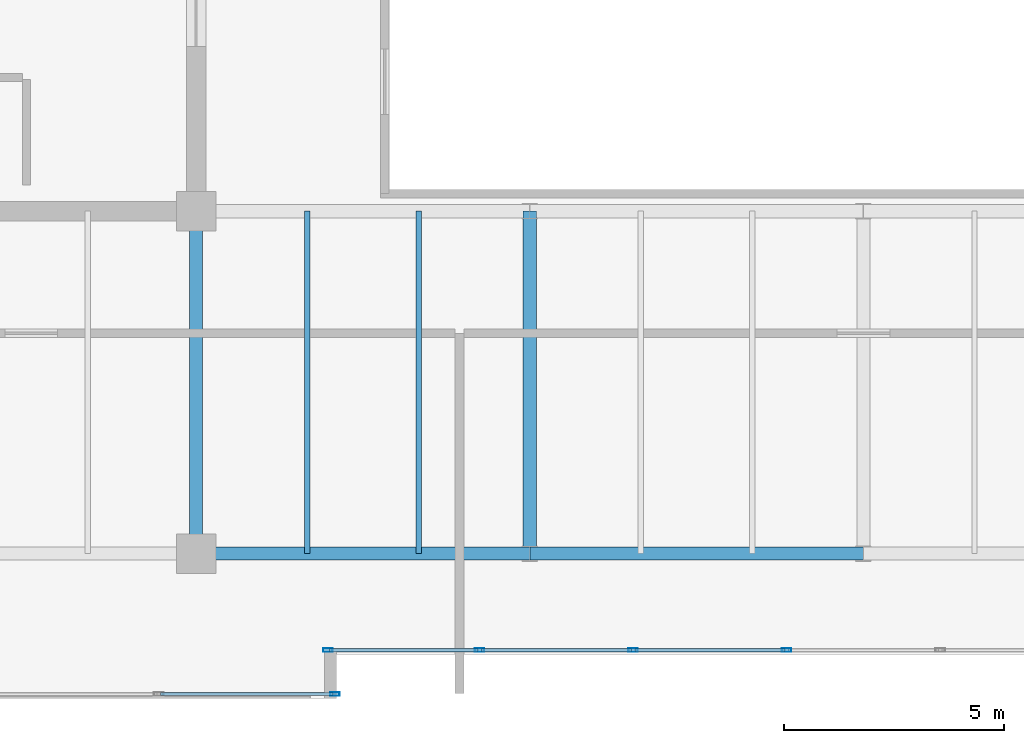
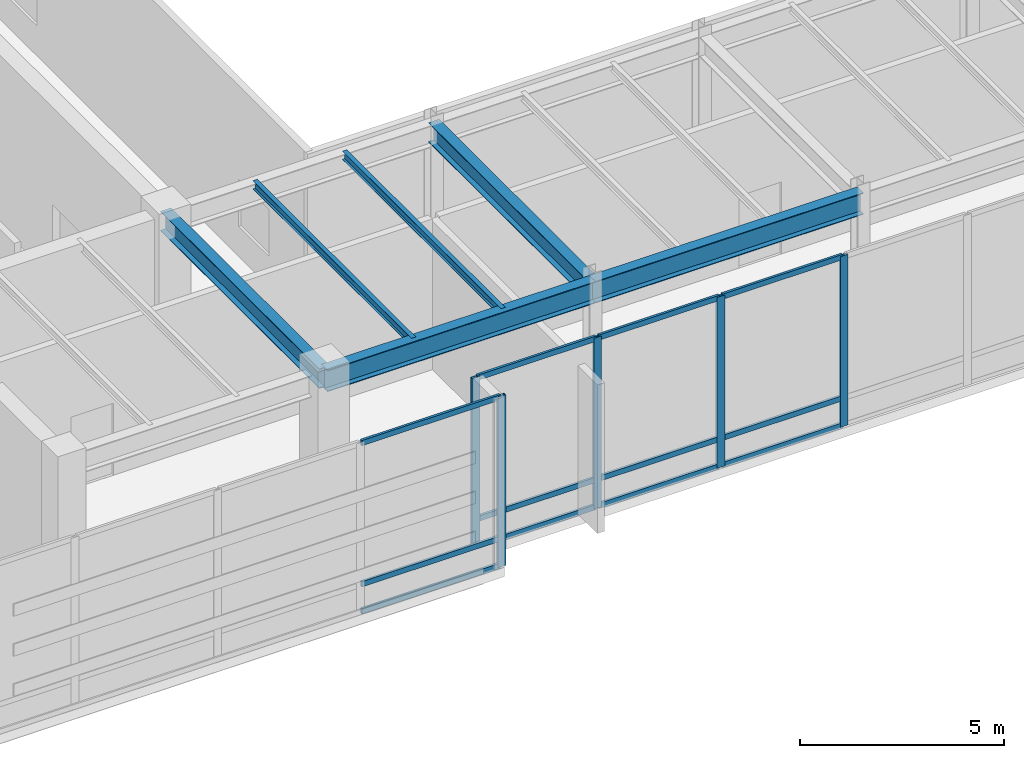
# One storey, part 7 of 30: 17 members, 6 beams, 2 elements without a shape of their own.
"""IFC4 building model written with IfcOpenShell, lengths in metres."""

from ifc_helpers import new_model, si_unit, direction, frame, origin, origin_2d, place, context, subcontext, project, spatial, hollow_rectangle, i_section, extrude, source, transform, mapped, material, layer, layer_set, material_profile, profile_set, type_object, type_shapes, element, aggregate, save


model = new_model("IFC4")

# Units and contexts
model_context = context("Model", 3, precision=1e-05, world=origin(), true_north=direction((0.0, 1.0)))
body_context = subcontext(model_context, "Body", "Model", "MODEL_VIEW")
ifc_project = project(units=[si_unit("LENGTHUNIT", "METRE"), si_unit("AREAUNIT", "SQUARE_METRE"), si_unit("VOLUMEUNIT", "CUBIC_METRE"), si_unit("PLANEANGLEUNIT", "RADIAN"), si_unit("MASSUNIT", "GRAM", prefix="KILO")], contexts=[model_context])

# Site, building, storey
site_placement = place(None, origin())
site = spatial("IfcSite", under=ifc_project, at=site_placement, CompositionType="ELEMENT")
building_placement = place(site_placement, origin())
building = spatial("IfcBuilding", under=site, at=building_placement, Name="Haelvirn Gate Laboratories", CompositionType="ELEMENT")
storey_placement = place(building_placement, frame((0.0, 0.0, 327.0)))
storey = spatial("IfcBuildingStorey", under=building, at=storey_placement, Name="L78", CompositionType="ELEMENT", Elevation=327.0)

# Beams
ifc_material_1 = material(Name="Steel SM355", Category="steel")
ifc_material_profile_1 = material_profile(ifc_material_1, i_section(OverallWidth=0.300048828125, OverallDepth=0.587890625, WebThickness=0.011962890625, FlangeThickness=0.02001953125, at=origin_2d()), Name="H-588x300x12x20")
ifc_profile_set_1 = profile_set([ifc_material_profile_1], Name="Steel SM355")
beam_type_1 = type_object("IfcBeamType", Name="BM-G-588", PredefinedType="BEAM", material=ifc_profile_set_1)
shared_shape_1 = source(origin(), body_context, "Body", "SweptSolid", [
    extrude(i_section(OverallWidth=0.300048828125, OverallDepth=0.587890625, WebThickness=0.011962890625, FlangeThickness=0.02001953125, at=origin_2d()), origin(), (0.0, 0.0, 1.0), 7.800048828125),
])
type_shapes(beam_type_1, [shared_shape_1])
for number, where, z_axis, x_axis, name in (
    (1, (22.199951171875, 7.0, 4.825927734375), (0.0, 1.0, 0.0), (-1.0, 0.0, 0.0), "L78 Frame Girder X22.2 (7.0-14.8)"),
    (2, (29.800048828125, 7.0, 4.825927734375), (0.0, 1.0, 0.0), (-1.0, 0.0, 0.0), "L78 Frame Girder X29.8 (7.0-14.8)"),
):
    element("IfcBeam", number, at=place(storey_placement, frame(where, z_axis=z_axis, x_axis=x_axis)), inside=storey, type_object=beam_type_1, Name=name, PredefinedType="BEAM", context=body_context, shape_type="MappedRepresentation", body=[
        mapped(shared_shape_1, transform((0.0, 0.0, 0.0), scale=1.0)),
    ])
ifc_material_profile_2 = material_profile(ifc_material_1, i_section(OverallWidth=0.300048828125, OverallDepth=0.64990234375, WebThickness=0.012939453125, FlangeThickness=0.02197265625, at=origin_2d()), Name="H-650x300x13x22")
ifc_profile_set_2 = profile_set([ifc_material_profile_2], Name="Steel SM355")
beam_type_2 = type_object("IfcBeamType", Name="BM-G-650", PredefinedType="BEAM", material=ifc_profile_set_2)
shared_shape_2 = source(origin(), body_context, "Body", "SweptSolid", [
    extrude(i_section(OverallWidth=0.300048828125, OverallDepth=0.64990234375, WebThickness=0.012939453125, FlangeThickness=0.02197265625, at=origin_2d()), origin(), (0.0, 0.0, 1.0), 7.60009765625),
])
beam_1_placement = place(storey_placement, frame((22.199951171875, 7.0, 4.794921875), z_axis=(1.0, 0.0, 0.0), x_axis=(0.0, 1.0, 0.0)))
element("IfcBeam", 3, at=beam_1_placement, inside=storey, type_object=beam_type_2, Name="L78 Primary Girder Y7.0 (22.2-29.8)", PredefinedType="BEAM", context=body_context, shape_type="MappedRepresentation", body=[
    mapped(shared_shape_2, transform((0.0, 0.0, 0.0), scale=1.0)),
])
shared_shape_3 = source(origin(), body_context, "Body", "SweptSolid", [
    extrude(i_section(OverallWidth=0.300048828125, OverallDepth=0.64990234375, WebThickness=0.012939453125, FlangeThickness=0.02197265625, at=origin_2d()), origin(), (0.0, 0.0, 1.0), 7.599853515625),
])
type_shapes(beam_type_2, [shared_shape_2, shared_shape_3])
beam_2_placement = place(storey_placement, frame((29.800048828125, 7.0, 4.794921875), z_axis=(1.0, 0.0, 0.0), x_axis=(0.0, 1.0, 0.0)))
element("IfcBeam", 4, at=beam_2_placement, inside=storey, type_object=beam_type_2, Name="L78 Primary Girder Y7.0 (29.8-37.4)", PredefinedType="BEAM", context=body_context, shape_type="MappedRepresentation", body=[
    mapped(shared_shape_3, transform((0.0, 0.0, 0.0), scale=1.0)),
])
ifc_material_profile_3 = material_profile(ifc_material_1, i_section(OverallWidth=0.125, OverallDepth=0.25, WebThickness=0.006103515625, FlangeThickness=0.009033203125, at=origin_2d()), Name="H-250x125x6x9")
ifc_profile_set_3 = profile_set([ifc_material_profile_3], Name="Steel SM355")
beam_type_3 = type_object("IfcBeamType", Name="BM-J-250", PredefinedType="JOIST", material=ifc_profile_set_3)
shared_shape_4 = source(origin(), body_context, "Body", "SweptSolid", [
    extrude(i_section(OverallWidth=0.125, OverallDepth=0.25, WebThickness=0.006103515625, FlangeThickness=0.009033203125, at=origin_2d()), origin(), (0.0, 0.0, 1.0), 7.800048828125),
])
type_shapes(beam_type_3, [shared_shape_4])
for number, where, z_axis, x_axis, name in (
    (5, (24.72998046875, 7.0, 4.9951171875), (0.0, 1.0, 0.0), (-1.0, 0.0, 0.0), "L78 Composite Lab Joist South X24.73"),
    (6, (27.27001953125, 7.0, 4.9951171875), (0.0, 1.0, 0.0), (-1.0, 0.0, 0.0), "L78 Composite Lab Joist South X27.27"),
):
    element("IfcBeam", number, at=place(storey_placement, frame(where, z_axis=z_axis, x_axis=x_axis)), inside=storey, type_object=beam_type_3, Name=name, PredefinedType="JOIST", context=body_context, shape_type="MappedRepresentation", body=[
        mapped(shared_shape_4, transform((0.0, 0.0, 0.0), scale=1.0)),
    ])

# Curtain wall, member
ifc_material_2 = material(Name="Anodised bronze unitised aluminium & triple low-E glass", Category="aluminium")
ifc_layer = layer(ifc_material_2, 0.19189453125, Name="CW-SYS-6")
ifc_layer_set = layer_set([ifc_layer], Name="Anodised bronze unitised aluminium & triple low-E glass")
curtain_wall_type = type_object("IfcCurtainWallType", Name="CW-SYS-6", PredefinedType="NOTDEFINED", material=ifc_layer_set)
curtain_wall_1_placement = place(storey_placement, origin())
curtain_wall_1 = element("IfcCurtainWall", 7, at=curtain_wall_1_placement, inside=storey, type_object=curtain_wall_type, Name="L78 Unitised Curtain Wall CW-L78-P0-E00-1", PredefinedType="NOTDEFINED")
ifc_material_3 = material(Name="Extruded aluminium 6063-T6 (anodised bronze)", Category="aluminium")
ifc_material_profile_4 = material_profile(ifc_material_3, hollow_rectangle(XDim=0.080078125, YDim=0.219970703125, WallThickness=0.006103515625, at=origin_2d()), Name="CWM-220x80x6")
ifc_profile_set_4 = profile_set([ifc_material_profile_4], Name="Extruded aluminium 6063-T6 (anodised bronze)")
member_type_1 = type_object("IfcMemberType", Name="CWM-T220", PredefinedType="MULLION", material=ifc_profile_set_4)
shared_shape_5 = source(origin(), body_context, "Body", "SweptSolid", [
    extrude(hollow_rectangle(XDim=0.080078125, YDim=0.219970703125, WallThickness=0.006103515625, at=origin_2d()), origin(), (0.0, 0.0, 1.0), 5.1201171875),
])
type_shapes(member_type_1, [shared_shape_5])
member_1_placement = place(storey_placement, frame((25.360107421875, 3.800048828125, 0.0), z_axis=(0.0, 0.0, 1.0), x_axis=(0.0, 1.0, 0.0)))
member_1 = element("IfcMember", 8, at=member_1_placement, type_object=member_type_1, Name="CW6 mullion 5", PredefinedType="MULLION", context=body_context, shape_type="MappedRepresentation", body=[
    mapped(shared_shape_5, transform((0.0, 0.0, 0.0), scale=1.0)),
])

# Curtain wall, members
curtain_wall_2_placement = place(storey_placement, origin())
curtain_wall_2 = element("IfcCurtainWall", 9, at=curtain_wall_2_placement, inside=storey, type_object=curtain_wall_type, Name="L78 Unitised Curtain Wall CW-L78-P0-E02-1", PredefinedType="NOTDEFINED")
member_2_placement = place(storey_placement, frame((25.199951171875, 4.800048828125, 0.0), z_axis=(0.0, 0.0, 1.0), x_axis=(0.0, 1.0, 0.0)))
member_2 = element("IfcMember", 10, at=member_2_placement, type_object=member_type_1, Name="CW6 mullion 1", PredefinedType="MULLION", context=body_context, shape_type="MappedRepresentation", body=[
    mapped(shared_shape_5, transform((0.0, 0.0, 0.0), scale=1.0)),
])
member_3_placement = place(storey_placement, frame((28.6572265625, 4.800048828125, 0.0), z_axis=(0.0, 0.0, 1.0), x_axis=(0.0, 1.0, 0.0)))
member_3 = element("IfcMember", 11, at=member_3_placement, type_object=member_type_1, Name="CW6 mullion 2", PredefinedType="MULLION", context=body_context, shape_type="MappedRepresentation", body=[
    mapped(shared_shape_5, transform((0.0, 0.0, 0.0), scale=1.0)),
])
member_4_placement = place(storey_placement, frame((32.154296875, 4.800048828125, 0.0), z_axis=(0.0, 0.0, 1.0), x_axis=(0.0, 1.0, 0.0)))
member_4 = element("IfcMember", 12, at=member_4_placement, type_object=member_type_1, Name="CW6 mullion 3", PredefinedType="MULLION", context=body_context, shape_type="MappedRepresentation", body=[
    mapped(shared_shape_5, transform((0.0, 0.0, 0.0), scale=1.0)),
])
member_5_placement = place(storey_placement, frame((35.6513671875, 4.800048828125, 0.0), z_axis=(0.0, 0.0, 1.0), x_axis=(0.0, 1.0, 0.0)))
member_5 = element("IfcMember", 13, at=member_5_placement, type_object=member_type_1, Name="CW6 mullion 4", PredefinedType="MULLION", context=body_context, shape_type="MappedRepresentation", body=[
    mapped(shared_shape_5, transform((0.0, 0.0, 0.0), scale=1.0)),
])

# Member
ifc_material_profile_5 = material_profile(ifc_material_3, hollow_rectangle(XDim=0.070068359375, YDim=0.159912109375, WallThickness=0.0048828125, at=origin_2d()), Name="CWT-160x70x5")
ifc_profile_set_5 = profile_set([ifc_material_profile_5], Name="Extruded aluminium 6063-T6 (anodised bronze)")
member_type_2 = type_object("IfcMemberType", Name="CWT-T160", PredefinedType="USERDEFINED", material=ifc_profile_set_5)
shared_shape_6 = source(origin(), body_context, "Body", "SweptSolid", [
    extrude(hollow_rectangle(XDim=0.070068359375, YDim=0.159912109375, WallThickness=0.0048828125, at=origin_2d()), origin(), (0.0, 0.0, 1.0), 3.93017578125),
])
member_6_placement = place(storey_placement, frame((21.389892578125, 3.800048828125, 0.034912109375), z_axis=(1.0, 0.0, 0.0), x_axis=(0.0, 1.0, 0.0)))
member_6 = element("IfcMember", 14, at=member_6_placement, type_object=member_type_2, Name="CW6 transom 4.1", ObjectType="TRANSOM", PredefinedType="USERDEFINED", context=body_context, shape_type="MappedRepresentation", body=[
    mapped(shared_shape_6, transform((0.0, 0.0, 0.0), scale=1.0)),
])

member_7_placement = place(storey_placement, frame((21.389892578125, 3.800048828125, 0.85009765625), z_axis=(1.0, 0.0, 0.0), x_axis=(0.0, 1.0, 0.0)))
member_7 = element("IfcMember", 15, at=member_7_placement, type_object=member_type_2, Name="CW6 transom 4.2", ObjectType="TRANSOM", PredefinedType="USERDEFINED", context=body_context, shape_type="MappedRepresentation", body=[
    mapped(shared_shape_6, transform((0.0, 0.0, 0.0), scale=1.0)),
])

member_8_placement = place(storey_placement, frame((21.389892578125, 3.800048828125, 5.0849609375), z_axis=(1.0, 0.0, 0.0), x_axis=(0.0, 1.0, 0.0)))
member_8 = element("IfcMember", 16, at=member_8_placement, type_object=member_type_2, Name="CW6 transom 4.3", ObjectType="TRANSOM", PredefinedType="USERDEFINED", context=body_context, shape_type="MappedRepresentation", body=[
    mapped(shared_shape_6, transform((0.0, 0.0, 0.0), scale=1.0)),
])

aggregate(curtain_wall_1, [member_1, member_6, member_7, member_8])

shared_shape_7 = source(origin(), body_context, "Body", "SweptSolid", [
    extrude(hollow_rectangle(XDim=0.070068359375, YDim=0.159912109375, WallThickness=0.0048828125, at=origin_2d()), origin(), (0.0, 0.0, 1.0), 3.377197265625),
])
member_9_placement = place(storey_placement, frame((25.239990234375, 4.800048828125, 0.034912109375), z_axis=(1.0, 0.0, 0.0), x_axis=(0.0, 1.0, 0.0)))
member_9 = element("IfcMember", 17, at=member_9_placement, type_object=member_type_2, Name="CW6 transom 1.1", ObjectType="TRANSOM", PredefinedType="USERDEFINED", context=body_context, shape_type="MappedRepresentation", body=[
    mapped(shared_shape_7, transform((0.0, 0.0, 0.0), scale=1.0)),
])

member_10_placement = place(storey_placement, frame((25.239990234375, 4.800048828125, 0.85009765625), z_axis=(1.0, 0.0, 0.0), x_axis=(0.0, 1.0, 0.0)))
member_10 = element("IfcMember", 18, at=member_10_placement, type_object=member_type_2, Name="CW6 transom 1.2", ObjectType="TRANSOM", PredefinedType="USERDEFINED", context=body_context, shape_type="MappedRepresentation", body=[
    mapped(shared_shape_7, transform((0.0, 0.0, 0.0), scale=1.0)),
])

member_11_placement = place(storey_placement, frame((25.239990234375, 4.800048828125, 5.0849609375), z_axis=(1.0, 0.0, 0.0), x_axis=(0.0, 1.0, 0.0)))
member_11 = element("IfcMember", 19, at=member_11_placement, type_object=member_type_2, Name="CW6 transom 1.3", ObjectType="TRANSOM", PredefinedType="USERDEFINED", context=body_context, shape_type="MappedRepresentation", body=[
    mapped(shared_shape_7, transform((0.0, 0.0, 0.0), scale=1.0)),
])

shared_shape_8 = source(origin(), body_context, "Body", "SweptSolid", [
    extrude(hollow_rectangle(XDim=0.070068359375, YDim=0.159912109375, WallThickness=0.0048828125, at=origin_2d()), origin(), (0.0, 0.0, 1.0), 3.417236328125),
])
member_12_placement = place(storey_placement, frame((28.697021484375, 4.800048828125, 0.034912109375), z_axis=(1.0, 0.0, 0.0), x_axis=(0.0, 1.0, 0.0)))
member_12 = element("IfcMember", 20, at=member_12_placement, type_object=member_type_2, Name="CW6 transom 2.1", ObjectType="TRANSOM", PredefinedType="USERDEFINED", context=body_context, shape_type="MappedRepresentation", body=[
    mapped(shared_shape_8, transform((0.0, 0.0, 0.0), scale=1.0)),
])

member_13_placement = place(storey_placement, frame((28.697021484375, 4.800048828125, 0.85009765625), z_axis=(1.0, 0.0, 0.0), x_axis=(0.0, 1.0, 0.0)))
member_13 = element("IfcMember", 21, at=member_13_placement, type_object=member_type_2, Name="CW6 transom 2.2", ObjectType="TRANSOM", PredefinedType="USERDEFINED", context=body_context, shape_type="MappedRepresentation", body=[
    mapped(shared_shape_8, transform((0.0, 0.0, 0.0), scale=1.0)),
])

member_14_placement = place(storey_placement, frame((28.697021484375, 4.800048828125, 5.0849609375), z_axis=(1.0, 0.0, 0.0), x_axis=(0.0, 1.0, 0.0)))
member_14 = element("IfcMember", 22, at=member_14_placement, type_object=member_type_2, Name="CW6 transom 2.3", ObjectType="TRANSOM", PredefinedType="USERDEFINED", context=body_context, shape_type="MappedRepresentation", body=[
    mapped(shared_shape_8, transform((0.0, 0.0, 0.0), scale=1.0)),
])

shared_shape_9 = source(origin(), body_context, "Body", "SweptSolid", [
    extrude(hollow_rectangle(XDim=0.070068359375, YDim=0.159912109375, WallThickness=0.0048828125, at=origin_2d()), origin(), (0.0, 0.0, 1.0), 3.4169921875),
])
type_shapes(member_type_2, [shared_shape_6, shared_shape_7, shared_shape_8, shared_shape_9])
member_15_placement = place(storey_placement, frame((32.1943359375, 4.800048828125, 0.034912109375), z_axis=(1.0, 0.0, 0.0), x_axis=(0.0, 1.0, 0.0)))
member_15 = element("IfcMember", 23, at=member_15_placement, type_object=member_type_2, Name="CW6 transom 3.1", ObjectType="TRANSOM", PredefinedType="USERDEFINED", context=body_context, shape_type="MappedRepresentation", body=[
    mapped(shared_shape_9, transform((0.0, 0.0, 0.0), scale=1.0)),
])

member_16_placement = place(storey_placement, frame((32.1943359375, 4.800048828125, 0.85009765625), z_axis=(1.0, 0.0, 0.0), x_axis=(0.0, 1.0, 0.0)))
member_16 = element("IfcMember", 24, at=member_16_placement, type_object=member_type_2, Name="CW6 transom 3.2", ObjectType="TRANSOM", PredefinedType="USERDEFINED", context=body_context, shape_type="MappedRepresentation", body=[
    mapped(shared_shape_9, transform((0.0, 0.0, 0.0), scale=1.0)),
])

member_17_placement = place(storey_placement, frame((32.1943359375, 4.800048828125, 5.0849609375), z_axis=(1.0, 0.0, 0.0), x_axis=(0.0, 1.0, 0.0)))
member_17 = element("IfcMember", 25, at=member_17_placement, type_object=member_type_2, Name="CW6 transom 3.3", ObjectType="TRANSOM", PredefinedType="USERDEFINED", context=body_context, shape_type="MappedRepresentation", body=[
    mapped(shared_shape_9, transform((0.0, 0.0, 0.0), scale=1.0)),
])

aggregate(curtain_wall_2, [member_2, member_3, member_4, member_5, member_9, member_10, member_11, member_12, member_13, member_14, member_15, member_16, member_17])

save(model, "model.ifc")
